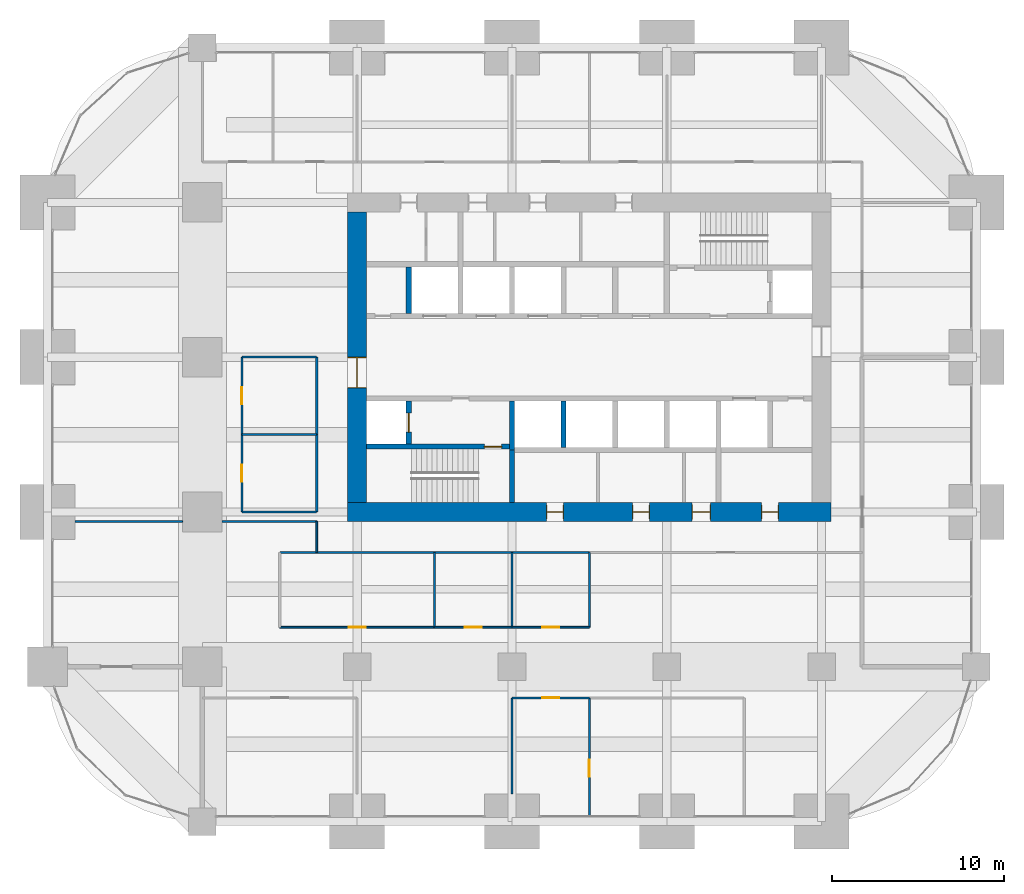
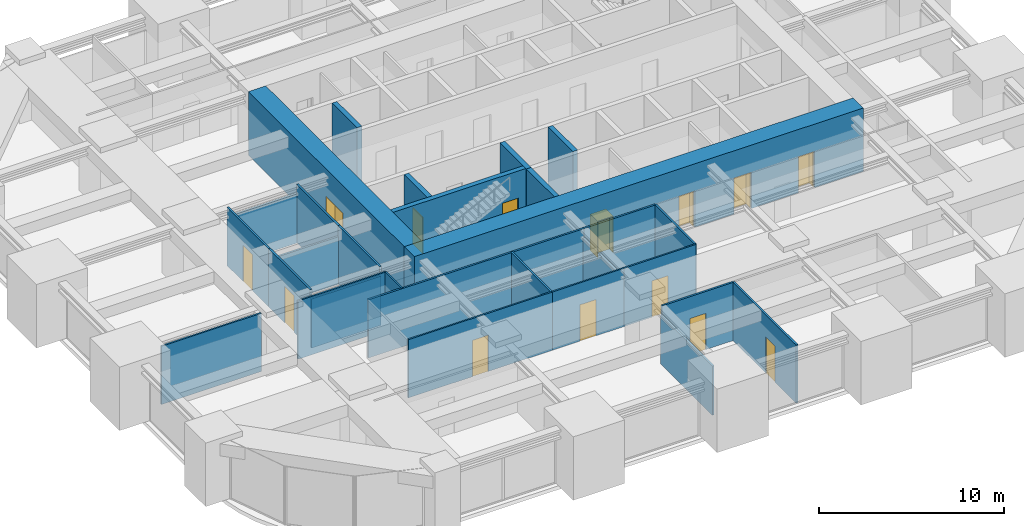
# One storey, part 36 of 39: 30 walls, 14 doors, 14 openings.
"""IFC4 building model written with IfcOpenShell, lengths in metres."""

from ifc_helpers import new_model, si_unit, direction, frame, frame_2d, origin, place, context, subcontext, project, spatial, rectangle, extrude, material, layer, layer_set, type_object, element, fill, save


model = new_model("IFC4")

# Units and contexts
model_context = context("Model", 3, precision=1e-05, world=origin(), true_north=direction((0.0, 1.0)))
body_context = subcontext(model_context, "Body", "Model", "MODEL_VIEW")
ifc_project = project(units=[si_unit("LENGTHUNIT", "METRE"), si_unit("AREAUNIT", "SQUARE_METRE"), si_unit("VOLUMEUNIT", "CUBIC_METRE"), si_unit("PLANEANGLEUNIT", "RADIAN"), si_unit("MASSUNIT", "GRAM", prefix="KILO")], contexts=[model_context])

# Site, building, storey
site_placement = place(None, origin())
site = spatial("IfcSite", under=ifc_project, at=site_placement, CompositionType="ELEMENT")
building_placement = place(site_placement, origin())
building = spatial("IfcBuilding", under=site, at=building_placement, Name="Zorevar Civic Tower", CompositionType="ELEMENT")
storey_placement = place(building_placement, frame((0.0, 0.0, 230.199951171875)))
storey = spatial("IfcBuildingStorey", under=building, at=storey_placement, Name="L56", CompositionType="ELEMENT", Elevation=230.199951171875)

# Wall, openings, doors
ifc_material_1 = material(Name="Concrete C50/60", Category="concrete")
ifc_layer_1 = layer(ifc_material_1, 1.10009765625)
ifc_layer_set_1 = layer_set([ifc_layer_1], Name="Core wall 1100")
wall_type_1 = type_object("IfcWallType", Name="Core wall 1100", PredefinedType="SHEAR", material=ifc_layer_set_1)
wall_1_placement = place(storey_placement, frame((17.449951171875, 18.0, 0.0), z_axis=(0.0, 0.0, 1.0), x_axis=(1.0, 0.0, 0.0)))
wall_1 = element("IfcWall", 1, at=wall_1_placement, inside=storey, type_object=wall_type_1, Name="Core wall S L56", PredefinedType="SHEAR", context=body_context, shape_type="SweptSolid", body=[
    extrude(rectangle(XDim=28.10009765625, YDim=1.10009765625, at=frame_2d((14.050048828125, 0.0))), origin(), (0.0, 0.0, 1.0), 4.199951171875),
])
opening_1_placement = place(wall_1_placement, frame((11.550048828125, 0.0, 0.0)))
opening_1 = element("IfcOpeningElement", 2, at=opening_1_placement, cuts=wall_1, Name="Opening L56.03", PredefinedType="OPENING", context=body_context, shape_type="SweptSolid", body=[
    extrude(rectangle(XDim=1.0, YDim=2.39990234375, at=frame_2d((0.5, 1.199951171875))), frame((0.0, 0.56005859375, 0.0), z_axis=(0.0, -1.0, 0.0), x_axis=(1.0, 0.0, 0.0)), (0.0, 0.0, 1.0), 1.1201171875),
])
opening_2_placement = place(wall_1_placement, frame((16.550048828125, 0.0, 0.0)))
opening_2 = element("IfcOpeningElement", 3, at=opening_2_placement, cuts=wall_1, Name="Opening L56.04", PredefinedType="OPENING", context=body_context, shape_type="SweptSolid", body=[
    extrude(rectangle(XDim=1.0, YDim=2.39990234375, at=frame_2d((0.5, 1.199951171875))), frame((0.0, 0.56005859375, 0.0), z_axis=(0.0, -1.0, 0.0), x_axis=(1.0, 0.0, 0.0)), (0.0, 0.0, 1.0), 1.1201171875),
])
opening_3_placement = place(wall_1_placement, frame((20.0, 0.0, 0.0)))
opening_3 = element("IfcOpeningElement", 4, at=opening_3_placement, cuts=wall_1, Name="Opening L56.05", PredefinedType="OPENING", context=body_context, shape_type="SweptSolid", body=[
    extrude(rectangle(XDim=1.10009765625, YDim=2.39990234375, at=frame_2d((0.550048828125, 1.199951171875))), frame((0.0, 0.56005859375, 0.0), z_axis=(0.0, -1.0, 0.0), x_axis=(1.0, 0.0, 0.0)), (0.0, 0.0, 1.0), 1.1201171875),
])
opening_4_placement = place(wall_1_placement, frame((24.050048828125, 0.0, 0.0)))
opening_4 = element("IfcOpeningElement", 5, at=opening_4_placement, cuts=wall_1, Name="Opening L56.06", PredefinedType="OPENING", context=body_context, shape_type="SweptSolid", body=[
    extrude(rectangle(XDim=1.0, YDim=2.39990234375, at=frame_2d((0.5, 1.199951171875))), frame((0.0, 0.56005859375, 0.0), z_axis=(0.0, -1.0, 0.0), x_axis=(1.0, 0.0, 0.0)), (0.0, 0.0, 1.0), 1.1201171875),
])
ifc_material_2 = material(Name="Timber door set", Category="wood")
door_type_1 = type_object("IfcDoorType", Name="Door D1 1000x2400", OperationType="SINGLE_SWING_LEFT", PredefinedType="DOOR", material=ifc_material_2)
door_1_placement = place(opening_1_placement, origin())
door_1 = element("IfcDoor", 6, at=door_1_placement, inside=storey, type_object=door_type_1, Name="Door L56 02", OperationType="SINGLE_SWING_RIGHT", OverallHeight=2.39990234375, OverallWidth=1.0, PredefinedType="DOOR", context=body_context, shape_type="SweptSolid", body=[
    extrude(rectangle(XDim=1.0, YDim=2.39990234375, at=frame_2d((0.5, 1.199951171875))), frame((0.0, 0.02490234375, 0.0), z_axis=(0.0, -1.0, 0.0), x_axis=(1.0, 0.0, 0.0)), (0.0, 0.0, 1.0), 0.050048828125),
    extrude(rectangle(XDim=0.04, YDim=2.39990234375, at=frame_2d((0.02001953125, 1.199951171875))), frame((0.0, 0.39990234375, 0.0), z_axis=(0.0, -1.0, 0.0), x_axis=(1.0, 0.0, 0.0)), (0.0, 0.0, 1.0), 0.800048828125),
    extrude(rectangle(XDim=0.04, YDim=2.39990234375, at=frame_2d((0.97998046875, 1.199951171875))), frame((0.0, 0.39990234375, 0.0), z_axis=(0.0, -1.0, 0.0), x_axis=(1.0, 0.0, 0.0)), (0.0, 0.0, 1.0), 0.800048828125),
    extrude(rectangle(XDim=1.0, YDim=0.04, at=frame_2d((0.5, 2.3798828125))), frame((0.0, 0.39990234375, 0.0), z_axis=(0.0, -1.0, 0.0), x_axis=(1.0, 0.0, 0.0)), (0.0, 0.0, 1.0), 0.800048828125),
])
fill(opening_1, door_1)
door_2_placement = place(opening_2_placement, origin())
door_2 = element("IfcDoor", 7, at=door_2_placement, inside=storey, type_object=door_type_1, Name="Door L56 03", OperationType="SINGLE_SWING_LEFT", OverallHeight=2.39990234375, OverallWidth=1.0, PredefinedType="DOOR", context=body_context, shape_type="SweptSolid", body=[
    extrude(rectangle(XDim=1.0, YDim=2.39990234375, at=frame_2d((0.5, 1.199951171875))), frame((0.0, 0.02490234375, 0.0), z_axis=(0.0, -1.0, 0.0), x_axis=(1.0, 0.0, 0.0)), (0.0, 0.0, 1.0), 0.050048828125),
    extrude(rectangle(XDim=0.04, YDim=2.39990234375, at=frame_2d((0.02001953125, 1.199951171875))), frame((0.0, 0.39990234375, 0.0), z_axis=(0.0, -1.0, 0.0), x_axis=(1.0, 0.0, 0.0)), (0.0, 0.0, 1.0), 0.800048828125),
    extrude(rectangle(XDim=0.04, YDim=2.39990234375, at=frame_2d((0.97998046875, 1.199951171875))), frame((0.0, 0.39990234375, 0.0), z_axis=(0.0, -1.0, 0.0), x_axis=(1.0, 0.0, 0.0)), (0.0, 0.0, 1.0), 0.800048828125),
    extrude(rectangle(XDim=1.0, YDim=0.04, at=frame_2d((0.5, 2.3798828125))), frame((0.0, 0.39990234375, 0.0), z_axis=(0.0, -1.0, 0.0), x_axis=(1.0, 0.0, 0.0)), (0.0, 0.0, 1.0), 0.800048828125),
])
fill(opening_2, door_2)
door_3_placement = place(opening_4_placement, origin())
door_3 = element("IfcDoor", 8, at=door_3_placement, inside=storey, type_object=door_type_1, Name="Door L56 05", OperationType="SINGLE_SWING_LEFT", OverallHeight=2.39990234375, OverallWidth=1.0, PredefinedType="DOOR", context=body_context, shape_type="SweptSolid", body=[
    extrude(rectangle(XDim=1.0, YDim=2.39990234375, at=frame_2d((0.5, 1.199951171875))), frame((0.0, 0.02490234375, 0.0), z_axis=(0.0, -1.0, 0.0), x_axis=(1.0, 0.0, 0.0)), (0.0, 0.0, 1.0), 0.050048828125),
    extrude(rectangle(XDim=0.04, YDim=2.39990234375, at=frame_2d((0.02001953125, 1.199951171875))), frame((0.0, 0.39990234375, 0.0), z_axis=(0.0, -1.0, 0.0), x_axis=(1.0, 0.0, 0.0)), (0.0, 0.0, 1.0), 0.800048828125),
    extrude(rectangle(XDim=0.04, YDim=2.39990234375, at=frame_2d((0.97998046875, 1.199951171875))), frame((0.0, 0.39990234375, 0.0), z_axis=(0.0, -1.0, 0.0), x_axis=(1.0, 0.0, 0.0)), (0.0, 0.0, 1.0), 0.800048828125),
    extrude(rectangle(XDim=1.0, YDim=0.04, at=frame_2d((0.5, 2.3798828125))), frame((0.0, 0.39990234375, 0.0), z_axis=(0.0, -1.0, 0.0), x_axis=(1.0, 0.0, 0.0)), (0.0, 0.0, 1.0), 0.800048828125),
])
fill(opening_4, door_3)
ifc_material_3 = material(Name="Timber door set", Category="wood")
door_type_2 = type_object("IfcDoorType", Name="Door D5 1100x2400", OperationType="SINGLE_SWING_LEFT", PredefinedType="DOOR", material=ifc_material_3)
door_4_placement = place(opening_3_placement, origin())
door_4 = element("IfcDoor", 9, at=door_4_placement, inside=storey, type_object=door_type_2, Name="Door L56 04", OperationType="SINGLE_SWING_LEFT", OverallHeight=2.39990234375, OverallWidth=1.10009765625, PredefinedType="DOOR", context=body_context, shape_type="SweptSolid", body=[
    extrude(rectangle(XDim=1.10009765625, YDim=2.39990234375, at=frame_2d((0.550048828125, 1.199951171875))), frame((0.0, 0.02490234375, 0.0), z_axis=(0.0, -1.0, 0.0), x_axis=(1.0, 0.0, 0.0)), (0.0, 0.0, 1.0), 0.050048828125),
    extrude(rectangle(XDim=0.04, YDim=2.39990234375, at=frame_2d((0.02001953125, 1.199951171875))), frame((0.0, 0.43994140625, 0.0), z_axis=(0.0, -1.0, 0.0), x_axis=(1.0, 0.0, 0.0)), (0.0, 0.0, 1.0), 0.880126953125),
    extrude(rectangle(XDim=0.04, YDim=2.39990234375, at=frame_2d((1.080078125, 1.199951171875))), frame((0.0, 0.43994140625, 0.0), z_axis=(0.0, -1.0, 0.0), x_axis=(1.0, 0.0, 0.0)), (0.0, 0.0, 1.0), 0.880126953125),
    extrude(rectangle(XDim=1.10009765625, YDim=0.04, at=frame_2d((0.550048828125, 2.3798828125))), frame((0.0, 0.43994140625, 0.0), z_axis=(0.0, -1.0, 0.0), x_axis=(1.0, 0.0, 0.0)), (0.0, 0.0, 1.0), 0.880126953125),
])
fill(opening_3, door_4)

# Wall, opening, door
wall_2_placement = place(storey_placement, frame((18.0, 35.449951171875, 0.0), z_axis=(0.0, 0.0, 1.0), x_axis=(0.0, -1.0, 0.0)))
wall_2 = element("IfcWall", 10, at=wall_2_placement, inside=storey, type_object=wall_type_1, Name="Core wall W L56", PredefinedType="SHEAR", context=body_context, shape_type="SweptSolid", body=[
    extrude(rectangle(XDim=16.89990234375, YDim=1.10009765625, at=frame_2d((8.449951171875, 0.0))), origin(), (0.0, 0.0, 1.0), 4.199951171875),
])
opening_5_placement = place(wall_2_placement, frame((8.449951171875, 0.0, 0.0)))
opening_5 = element("IfcOpeningElement", 11, at=opening_5_placement, cuts=wall_2, Name="Opening L56.01", PredefinedType="OPENING", context=body_context, shape_type="SweptSolid", body=[
    extrude(rectangle(XDim=1.800048828125, YDim=2.39990234375, at=frame_2d((0.89990234375, 1.199951171875))), frame((0.0, 0.56005859375, 0.0), z_axis=(0.0, -1.0, 0.0), x_axis=(1.0, 0.0, 0.0)), (0.0, 0.0, 1.0), 1.1201171875),
])
ifc_material_4 = material(Name="Steel door set", Category="steel")
door_type_3 = type_object("IfcDoorType", Name="Fire door FD2 1800x2400", OperationType="DOUBLE_DOOR_DOUBLE_SWING", PredefinedType="DOOR", material=ifc_material_4)
door_5_placement = place(opening_5_placement, origin())
door_5 = element("IfcDoor", 12, at=door_5_placement, inside=storey, type_object=door_type_3, Name="Door L56 00", OperationType="DOUBLE_DOOR_DOUBLE_SWING", OverallHeight=2.39990234375, OverallWidth=1.800048828125, PredefinedType="DOOR", context=body_context, shape_type="SweptSolid", body=[
    extrude(rectangle(XDim=1.800048828125, YDim=2.39990234375, at=frame_2d((0.89990234375, 1.199951171875))), frame((0.0, 0.030029296875, 0.0), z_axis=(0.0, -1.0, 0.0), x_axis=(1.0, 0.0, 0.0)), (0.0, 0.0, 1.0), 0.06005859375),
    extrude(rectangle(XDim=0.04, YDim=2.39990234375, at=frame_2d((0.02001953125, 1.199951171875))), frame((0.0, 0.5498046875, 0.0), z_axis=(0.0, -1.0, 0.0), x_axis=(1.0, 0.0, 0.0)), (0.0, 0.0, 1.0), 1.099609375),
    extrude(rectangle(XDim=0.04, YDim=2.39990234375, at=frame_2d((1.780029296875, 1.199951171875))), frame((0.0, 0.5498046875, 0.0), z_axis=(0.0, -1.0, 0.0), x_axis=(1.0, 0.0, 0.0)), (0.0, 0.0, 1.0), 1.099609375),
    extrude(rectangle(XDim=1.800048828125, YDim=0.04, at=frame_2d((0.89990234375, 2.3798828125))), frame((0.0, 0.5498046875, 0.0), z_axis=(0.0, -1.0, 0.0), x_axis=(1.0, 0.0, 0.0)), (0.0, 0.0, 1.0), 1.099609375),
])
fill(opening_5, door_5)

ifc_material_5 = material(Name="Laminated glass in black aluminium frame", Category="aluminium")
ifc_layer_2 = layer(ifc_material_5, 0.10009765625)
ifc_layer_set_2 = layer_set([ifc_layer_2], Name="Glazed partition 100")
wall_type_2 = type_object("IfcWallType", Name="Glazed partition 100", PredefinedType="PARTITIONING", material=ifc_layer_set_2)
wall_3_placement = place(storey_placement, frame((13.5, 11.300048828125, 0.0), z_axis=(0.0, 0.0, 1.0), x_axis=(1.0, 0.0, 0.0)))
wall_3 = element("IfcWall", 13, at=wall_3_placement, inside=storey, type_object=wall_type_2, Name="Glazed partition 100 L56", PredefinedType="PARTITIONING", context=body_context, shape_type="SweptSolid", body=[
    extrude(rectangle(XDim=9.0, YDim=0.10009765625, at=frame_2d((4.5, 0.0))), origin(), (0.0, 0.0, 1.0), 3.85009765625),
])
opening_6_placement = place(wall_3_placement, frame((4.0, 0.0, 0.0)))
opening_6 = element("IfcOpeningElement", 14, at=opening_6_placement, cuts=wall_3, Name="Opening L56.20", PredefinedType="OPENING", context=body_context, shape_type="SweptSolid", body=[
    extrude(rectangle(XDim=1.0, YDim=2.39990234375, at=frame_2d((0.5, 1.199951171875))), frame((0.0, 0.06005859375, 0.0), z_axis=(0.0, -1.0, 0.0), x_axis=(1.0, 0.0, 0.0)), (0.0, 0.0, 1.0), 0.1201171875),
])
ifc_material_6 = material(Name="Timber door set", Category="wood")
door_type_4 = type_object("IfcDoorType", Name="Glazed door GD1 1000x2400", OperationType="SINGLE_SWING_LEFT", PredefinedType="DOOR", material=ifc_material_6)
door_6_placement = place(opening_6_placement, origin())
door_6 = element("IfcDoor", 15, at=door_6_placement, inside=storey, type_object=door_type_4, Name="Door L56 D1", OperationType="SINGLE_SWING_LEFT", OverallHeight=2.39990234375, OverallWidth=1.0, PredefinedType="DOOR", context=body_context, shape_type="SweptSolid", body=[
    extrude(rectangle(XDim=1.0, YDim=2.39990234375, at=frame_2d((0.5, 1.199951171875))), frame((0.0, 0.02001953125, 0.0), z_axis=(0.0, -1.0, 0.0), x_axis=(1.0, 0.0, 0.0)), (0.0, 0.0, 1.0), 0.0400390625),
])
fill(opening_6, door_6)

wall_4_placement = place(storey_placement, frame((22.5, 11.300048828125, 0.0), z_axis=(0.0, 0.0, 1.0), x_axis=(1.0, 0.0, 0.0)))
wall_4 = element("IfcWall", 16, at=wall_4_placement, inside=storey, type_object=wall_type_2, Name="Glazed partition 100 L56", PredefinedType="PARTITIONING", context=body_context, shape_type="SweptSolid", body=[
    extrude(rectangle(XDim=4.5, YDim=0.10009765625, at=frame_2d((2.25, 0.0))), origin(), (0.0, 0.0, 1.0), 3.85009765625),
])
opening_7_placement = place(wall_4_placement, frame((1.75, 0.0, 0.0)))
opening_7 = element("IfcOpeningElement", 17, at=opening_7_placement, cuts=wall_4, Name="Opening L56.21", PredefinedType="OPENING", context=body_context, shape_type="SweptSolid", body=[
    extrude(rectangle(XDim=1.0, YDim=2.39990234375, at=frame_2d((0.5, 1.199951171875))), frame((0.0, 0.06005859375, 0.0), z_axis=(0.0, -1.0, 0.0), x_axis=(1.0, 0.0, 0.0)), (0.0, 0.0, 1.0), 0.1201171875),
])
door_7_placement = place(opening_7_placement, origin())
door_7 = element("IfcDoor", 18, at=door_7_placement, inside=storey, type_object=door_type_4, Name="Door L56 D1", OperationType="SINGLE_SWING_RIGHT", OverallHeight=2.39990234375, OverallWidth=1.0, PredefinedType="DOOR", context=body_context, shape_type="SweptSolid", body=[
    extrude(rectangle(XDim=1.0, YDim=2.39990234375, at=frame_2d((0.5, 1.199951171875))), frame((0.0, 0.02001953125, 0.0), z_axis=(0.0, -1.0, 0.0), x_axis=(1.0, 0.0, 0.0)), (0.0, 0.0, 1.0), 0.0400390625),
])
fill(opening_7, door_7)

wall_5_placement = place(storey_placement, frame((27.0, 11.300048828125, 0.0), z_axis=(0.0, 0.0, 1.0), x_axis=(1.0, 0.0, 0.0)))
wall_5 = element("IfcWall", 19, at=wall_5_placement, inside=storey, type_object=wall_type_2, Name="Glazed partition 100 L56", PredefinedType="PARTITIONING", context=body_context, shape_type="SweptSolid", body=[
    extrude(rectangle(XDim=4.5, YDim=0.10009765625, at=frame_2d((2.25, 0.0))), origin(), (0.0, 0.0, 1.0), 3.85009765625),
])
opening_8_placement = place(wall_5_placement, frame((1.75, 0.0, 0.0)))
opening_8 = element("IfcOpeningElement", 20, at=opening_8_placement, cuts=wall_5, Name="Opening L56.22", PredefinedType="OPENING", context=body_context, shape_type="SweptSolid", body=[
    extrude(rectangle(XDim=1.0, YDim=2.39990234375, at=frame_2d((0.5, 1.199951171875))), frame((0.0, 0.06005859375, 0.0), z_axis=(0.0, -1.0, 0.0), x_axis=(1.0, 0.0, 0.0)), (0.0, 0.0, 1.0), 0.1201171875),
])
door_8_placement = place(opening_8_placement, origin())
door_8 = element("IfcDoor", 21, at=door_8_placement, inside=storey, type_object=door_type_4, Name="Door L56 D1", OperationType="SINGLE_SWING_RIGHT", OverallHeight=2.39990234375, OverallWidth=1.0, PredefinedType="DOOR", context=body_context, shape_type="SweptSolid", body=[
    extrude(rectangle(XDim=1.0, YDim=2.39990234375, at=frame_2d((0.5, 1.199951171875))), frame((0.0, 0.02001953125, 0.0), z_axis=(0.0, -1.0, 0.0), x_axis=(1.0, 0.0, 0.0)), (0.0, 0.0, 1.0), 0.0400390625),
])
fill(opening_8, door_8)

# Walls
wall_6_placement = place(storey_placement, frame((1.60009765625, 17.449951171875, 0.0), z_axis=(0.0, 0.0, 1.0), x_axis=(1.0, 0.0, 0.0)))
element("IfcWall", 22, at=wall_6_placement, inside=storey, type_object=wall_type_2, Name="Glazed partition 100 L56", PredefinedType="PARTITIONING", context=body_context, shape_type="SweptSolid", body=[
    extrude(rectangle(XDim=6.25, YDim=0.10009765625, at=frame_2d((3.125, 0.0))), origin(), (0.0, 0.0, 1.0), 3.85009765625),
])
wall_7_placement = place(storey_placement, frame((10.14990234375, 17.449951171875, 0.0), z_axis=(0.0, 0.0, 1.0), x_axis=(1.0, 0.0, 0.0)))
element("IfcWall", 23, at=wall_7_placement, inside=storey, type_object=wall_type_2, Name="Glazed partition 100 L56", PredefinedType="PARTITIONING", context=body_context, shape_type="SweptSolid", body=[
    extrude(rectangle(XDim=5.5, YDim=0.10009765625, at=frame_2d((2.75, 0.0))), origin(), (0.0, 0.0, 1.0), 3.85009765625),
])
wall_8_placement = place(storey_placement, frame((15.64990234375, 15.64990234375, 0.0), z_axis=(0.0, 0.0, 1.0), x_axis=(0.0, 1.0, 0.0)))
element("IfcWall", 24, at=wall_8_placement, inside=storey, type_object=wall_type_2, Name="Glazed partition 100 L56", PredefinedType="PARTITIONING", context=body_context, shape_type="SweptSolid", body=[
    extrude(rectangle(XDim=1.800048828125, YDim=0.10009765625, at=frame_2d((0.89990234375, 0.0))), origin(), (0.0, 0.0, 1.0), 3.85009765625),
])

# Wall, opening, door
ifc_material_7 = material(Name="Concrete C40/50", Category="concrete")
ifc_layer_3 = layer(ifc_material_7, 0.300048828125)
ifc_layer_set_3 = layer_set([ifc_layer_3], Name="Inner core wall 300")
wall_type_3 = type_object("IfcWallType", Name="Inner core wall 300", PredefinedType="SHEAR", material=ifc_layer_set_3)
wall_9_placement = place(storey_placement, frame((18.550048828125, 21.800048828125, 0.0), z_axis=(0.0, 0.0, 1.0), x_axis=(1.0, 0.0, 0.0)))
wall_9 = element("IfcWall", 25, at=wall_9_placement, inside=storey, type_object=wall_type_3, Name="Inner core wall S00 L56", PredefinedType="SHEAR", context=body_context, shape_type="SweptSolid", body=[
    extrude(rectangle(XDim=8.300048828125, YDim=0.300048828125, at=frame_2d((4.14990234375, 0.0))), origin(), (0.0, 0.0, 1.0), 4.199951171875),
])
opening_9_placement = place(wall_9_placement, frame((6.85009765625, 0.0, 0.0)))
opening_9 = element("IfcOpeningElement", 26, at=opening_9_placement, cuts=wall_9, Name="Opening L56.11", PredefinedType="OPENING", context=body_context, shape_type="SweptSolid", body=[
    extrude(rectangle(XDim=1.0, YDim=2.39990234375, at=frame_2d((0.5, 1.199951171875))), frame((0.0, 0.159912109375, 0.0), z_axis=(0.0, -1.0, 0.0), x_axis=(1.0, 0.0, 0.0)), (0.0, 0.0, 1.0), 0.320068359375),
])
ifc_material_8 = material(Name="Steel door set", Category="steel")
door_type_5 = type_object("IfcDoorType", Name="Fire door FD1 1000x2400", OperationType="SINGLE_SWING_LEFT", PredefinedType="DOOR", material=ifc_material_8)
door_9_placement = place(opening_9_placement, origin())
door_9 = element("IfcDoor", 27, at=door_9_placement, inside=storey, type_object=door_type_5, Name="Door L56 10", OperationType="SINGLE_SWING_RIGHT", OverallHeight=2.39990234375, OverallWidth=1.0, PredefinedType="DOOR", context=body_context, shape_type="SweptSolid", body=[
    extrude(rectangle(XDim=1.0, YDim=2.39990234375, at=frame_2d((0.5, 1.199951171875))), frame((0.0, 0.030029296875, 0.0), z_axis=(0.0, -1.0, 0.0), x_axis=(1.0, 0.0, 0.0)), (0.0, 0.0, 1.0), 0.06005859375),
])
fill(opening_9, door_9)

# Wall
wall_10_placement = place(storey_placement, frame((27.0, 18.550048828125, 0.0), z_axis=(0.0, 0.0, 1.0), x_axis=(0.0, 1.0, 0.0)))
element("IfcWall", 28, at=wall_10_placement, inside=storey, type_object=wall_type_3, Name="Inner core wall S01 L56", PredefinedType="SHEAR", context=body_context, shape_type="SweptSolid", body=[
    extrude(rectangle(XDim=3.050048828125, YDim=0.300048828125, at=frame_2d((1.52490234375, 0.0))), origin(), (0.0, 0.0, 1.0), 4.199951171875),
])

# Wall, opening, door
wall_11_placement = place(storey_placement, frame((21.0, 21.949951171875, 0.0), z_axis=(0.0, 0.0, 1.0), x_axis=(0.0, 1.0, 0.0)))
wall_11 = element("IfcWall", 29, at=wall_11_placement, inside=storey, type_object=wall_type_3, Name="Inner core wall S02 L56", PredefinedType="SHEAR", context=body_context, shape_type="SweptSolid", body=[
    extrude(rectangle(XDim=2.5, YDim=0.300048828125, at=frame_2d((1.25, 0.0))), origin(), (0.0, 0.0, 1.0), 4.199951171875),
])
opening_10_placement = place(wall_11_placement, frame((0.699951171875, 0.0, 0.0)))
opening_10 = element("IfcOpeningElement", 30, at=opening_10_placement, cuts=wall_11, Name="Opening L56.FL1", PredefinedType="OPENING", context=body_context, shape_type="SweptSolid", body=[
    extrude(rectangle(XDim=1.10009765625, YDim=2.39990234375, at=frame_2d((0.550048828125, 1.199951171875))), frame((0.0, 0.159912109375, 0.0), z_axis=(0.0, -1.0, 0.0), x_axis=(1.0, 0.0, 0.0)), (0.0, 0.0, 1.0), 0.320068359375),
])
ifc_material_9 = material(Name="Steel door set", Category="steel")
door_type_6 = type_object("IfcDoorType", Name="Firefighting lift landing door LD3 1100x2400", OperationType="DOUBLE_DOOR_SLIDING", PredefinedType="DOOR", material=ifc_material_9)
door_10_placement = place(opening_10_placement, origin())
door_10 = element("IfcDoor", 31, at=door_10_placement, inside=storey, type_object=door_type_6, Name="Landing door FL1 L56", OperationType="DOUBLE_DOOR_SLIDING", OverallHeight=2.39990234375, OverallWidth=1.10009765625, PredefinedType="DOOR", context=body_context, shape_type="SweptSolid", body=[
    extrude(rectangle(XDim=1.10009765625, YDim=2.39990234375, at=frame_2d((0.550048828125, 1.199951171875))), frame((0.0, 0.030029296875, 0.0), z_axis=(0.0, -1.0, 0.0), x_axis=(1.0, 0.0, 0.0)), (0.0, 0.0, 1.0), 0.06005859375),
])
fill(opening_10, door_10)

# Walls
for number, where, z_axis, x_axis, name in (
    (32, (30.0, 21.75, 0.0), (0.0, 0.0, 1.0), (0.0, 1.0, 0.0), "Inner core wall S05 L56"),
    (33, (21.0, 29.550048828125, 0.0), (0.0, 0.0, 1.0), (0.0, 1.0, 0.0), "Inner core wall N09 L56"),
):
    element("IfcWall", number, at=place(storey_placement, frame(where, z_axis=z_axis, x_axis=x_axis)), inside=storey, type_object=wall_type_3, Name=name, PredefinedType="SHEAR", context=body_context, shape_type="SweptSolid", body=[
        extrude(rectangle(XDim=2.699951171875, YDim=0.300048828125, at=frame_2d((1.35009765625, 0.0))), origin(), (0.0, 0.0, 1.0), 4.199951171875),
    ])
wall_12_placement = place(storey_placement, frame((27.0, 21.60009765625, 0.0), z_axis=(0.0, 0.0, 1.0), x_axis=(0.0, 1.0, 0.0)))
element("IfcWall", 34, at=wall_12_placement, inside=storey, type_object=wall_type_3, Name="Inner core wall S10 L56", PredefinedType="SHEAR", context=body_context, shape_type="SweptSolid", body=[
    extrude(rectangle(XDim=2.849853515625, YDim=0.300048828125, at=frame_2d((1.4248046875, 0.0))), origin(), (0.0, 0.0, 1.0), 4.199951171875),
])

# Wall, opening, door
ifc_material_10 = material(Name="Gypsum board on steel studs", Category="steel")
ifc_layer_4 = layer(ifc_material_10, 0.1201171875)
ifc_layer_set_4 = layer_set([ifc_layer_4], Name="Partition 120")
wall_type_4 = type_object("IfcWallType", Name="Partition 120", PredefinedType="PARTITIONING", material=ifc_layer_set_4)
wall_13_placement = place(storey_placement, frame((27.0, 7.199951171875, 0.0), z_axis=(0.0, 0.0, 1.0), x_axis=(1.0, 0.0, 0.0)))
wall_13 = element("IfcWall", 35, at=wall_13_placement, inside=storey, type_object=wall_type_4, Name="Partition 120 L56", PredefinedType="PARTITIONING", context=body_context, shape_type="SweptSolid", body=[
    extrude(rectangle(XDim=4.5, YDim=0.1201171875, at=frame_2d((2.25, 0.0))), origin(), (0.0, 0.0, 1.0), 3.85009765625),
])
opening_11_placement = place(wall_13_placement, frame((1.75, 0.0, 0.0)))
opening_11 = element("IfcOpeningElement", 36, at=opening_11_placement, cuts=wall_13, Name="Opening L56.18", PredefinedType="OPENING", context=body_context, shape_type="SweptSolid", body=[
    extrude(rectangle(XDim=1.0, YDim=2.39990234375, at=frame_2d((0.5, 1.199951171875))), frame((0.0, 0.070068359375, 0.0), z_axis=(0.0, -1.0, 0.0), x_axis=(1.0, 0.0, 0.0)), (0.0, 0.0, 1.0), 0.14013671875),
])
door_11_placement = place(opening_11_placement, origin())
door_11 = element("IfcDoor", 37, at=door_11_placement, inside=storey, type_object=door_type_1, Name="Door L56 D1", OperationType="SINGLE_SWING_RIGHT", OverallHeight=2.39990234375, OverallWidth=1.0, PredefinedType="DOOR", context=body_context, shape_type="SweptSolid", body=[
    extrude(rectangle(XDim=1.0, YDim=2.39990234375, at=frame_2d((0.5, 1.199951171875))), frame((0.0, 0.02490234375, 0.0), z_axis=(0.0, -1.0, 0.0), x_axis=(1.0, 0.0, 0.0)), (0.0, 0.0, 1.0), 0.050048828125),
])
fill(opening_11, door_11)

# Walls
wall_14_placement = place(storey_placement, frame((13.5, 15.64990234375, 0.0), z_axis=(0.0, 0.0, 1.0), x_axis=(1.0, 0.0, 0.0)))
element("IfcWall", 38, at=wall_14_placement, inside=storey, type_object=wall_type_4, Name="Partition 120 L56", PredefinedType="PARTITIONING", context=body_context, shape_type="SweptSolid", body=[
    extrude(rectangle(XDim=9.0, YDim=0.1201171875, at=frame_2d((4.5, 0.0))), origin(), (0.0, 0.0, 1.0), 3.85009765625),
])
for number, where, z_axis, x_axis, name in (
    (39, (22.5, 15.64990234375, 0.0), (0.0, 0.0, 1.0), (1.0, 0.0, 0.0), "Partition 120 L56"),
    (40, (27.0, 15.64990234375, 0.0), (0.0, 0.0, 1.0), (1.0, 0.0, 0.0), "Partition 120 L56"),
):
    element("IfcWall", number, at=place(storey_placement, frame(where, z_axis=z_axis, x_axis=x_axis)), inside=storey, type_object=wall_type_4, Name=name, PredefinedType="PARTITIONING", context=body_context, shape_type="SweptSolid", body=[
        extrude(rectangle(XDim=4.5, YDim=0.1201171875, at=frame_2d((2.25, 0.0))), origin(), (0.0, 0.0, 1.0), 3.85009765625),
    ])
wall_15_placement = place(storey_placement, frame((11.300048828125, 18.0, 0.0), z_axis=(0.0, 0.0, 1.0), x_axis=(1.0, 0.0, 0.0)))
element("IfcWall", 41, at=wall_15_placement, inside=storey, type_object=wall_type_4, Name="Partition 120 L56", PredefinedType="PARTITIONING", context=body_context, shape_type="SweptSolid", body=[
    extrude(rectangle(XDim=4.349853515625, YDim=0.1201171875, at=frame_2d((2.1748046875, 0.0))), origin(), (0.0, 0.0, 1.0), 3.25),
])
wall_16_placement = place(storey_placement, frame((11.300048828125, 22.5, 0.0), z_axis=(0.0, 0.0, 1.0), x_axis=(1.0, 0.0, 0.0)))
element("IfcWall", 42, at=wall_16_placement, inside=storey, type_object=wall_type_4, Name="Partition 120 L56", PredefinedType="PARTITIONING", context=body_context, shape_type="SweptSolid", body=[
    extrude(rectangle(XDim=4.349853515625, YDim=0.1201171875, at=frame_2d((2.1748046875, 0.0))), origin(), (0.0, 0.0, 1.0), 3.150146484375),
])
wall_17_placement = place(storey_placement, frame((11.300048828125, 27.0, 0.0), z_axis=(0.0, 0.0, 1.0), x_axis=(1.0, 0.0, 0.0)))
element("IfcWall", 43, at=wall_17_placement, inside=storey, type_object=wall_type_4, Name="Partition 120 L56", PredefinedType="PARTITIONING", context=body_context, shape_type="SweptSolid", body=[
    extrude(rectangle(XDim=4.349853515625, YDim=0.1201171875, at=frame_2d((2.1748046875, 0.0))), origin(), (0.0, 0.0, 1.0), 3.25),
])

# Wall, opening, door
wall_18_placement = place(storey_placement, frame((11.300048828125, 18.0, 0.0), z_axis=(0.0, 0.0, 1.0), x_axis=(0.0, 1.0, 0.0)))
wall_18 = element("IfcWall", 44, at=wall_18_placement, inside=storey, type_object=wall_type_4, Name="Partition 120 L56", PredefinedType="PARTITIONING", context=body_context, shape_type="SweptSolid", body=[
    extrude(rectangle(XDim=4.5, YDim=0.1201171875, at=frame_2d((2.25, 0.0))), origin(), (0.0, 0.0, 1.0), 3.85009765625),
])
opening_12_placement = place(wall_18_placement, frame((1.75, 0.0, 0.0)))
opening_12 = element("IfcOpeningElement", 45, at=opening_12_placement, cuts=wall_18, Name="Opening L56.31", PredefinedType="OPENING", context=body_context, shape_type="SweptSolid", body=[
    extrude(rectangle(XDim=1.0, YDim=2.39990234375, at=frame_2d((0.5, 1.199951171875))), frame((0.0, 0.070068359375, 0.0), z_axis=(0.0, -1.0, 0.0), x_axis=(1.0, 0.0, 0.0)), (0.0, 0.0, 1.0), 0.14013671875),
])
door_12_placement = place(opening_12_placement, origin())
door_12 = element("IfcDoor", 46, at=door_12_placement, inside=storey, type_object=door_type_1, Name="Door L56 D1", OperationType="SINGLE_SWING_RIGHT", OverallHeight=2.39990234375, OverallWidth=1.0, PredefinedType="DOOR", context=body_context, shape_type="SweptSolid", body=[
    extrude(rectangle(XDim=1.0, YDim=2.39990234375, at=frame_2d((0.5, 1.199951171875))), frame((0.0, 0.02490234375, 0.0), z_axis=(0.0, -1.0, 0.0), x_axis=(1.0, 0.0, 0.0)), (0.0, 0.0, 1.0), 0.050048828125),
])
fill(opening_12, door_12)

wall_19_placement = place(storey_placement, frame((11.300048828125, 22.5, 0.0), z_axis=(0.0, 0.0, 1.0), x_axis=(0.0, 1.0, 0.0)))
wall_19 = element("IfcWall", 47, at=wall_19_placement, inside=storey, type_object=wall_type_4, Name="Partition 120 L56", PredefinedType="PARTITIONING", context=body_context, shape_type="SweptSolid", body=[
    extrude(rectangle(XDim=4.5, YDim=0.1201171875, at=frame_2d((2.25, 0.0))), origin(), (0.0, 0.0, 1.0), 3.85009765625),
])
opening_13_placement = place(wall_19_placement, frame((1.75, 0.0, 0.0)))
opening_13 = element("IfcOpeningElement", 48, at=opening_13_placement, cuts=wall_19, Name="Opening L56.32", PredefinedType="OPENING", context=body_context, shape_type="SweptSolid", body=[
    extrude(rectangle(XDim=1.0, YDim=2.39990234375, at=frame_2d((0.5, 1.199951171875))), frame((0.0, 0.070068359375, 0.0), z_axis=(0.0, -1.0, 0.0), x_axis=(1.0, 0.0, 0.0)), (0.0, 0.0, 1.0), 0.14013671875),
])
door_13_placement = place(opening_13_placement, origin())
door_13 = element("IfcDoor", 49, at=door_13_placement, inside=storey, type_object=door_type_1, Name="Door L56 D1", OperationType="SINGLE_SWING_RIGHT", OverallHeight=2.39990234375, OverallWidth=1.0, PredefinedType="DOOR", context=body_context, shape_type="SweptSolid", body=[
    extrude(rectangle(XDim=1.0, YDim=2.39990234375, at=frame_2d((0.5, 1.199951171875))), frame((0.0, 0.02490234375, 0.0), z_axis=(0.0, -1.0, 0.0), x_axis=(1.0, 0.0, 0.0)), (0.0, 0.0, 1.0), 0.050048828125),
])
fill(opening_13, door_13)

# Walls
for number, where, z_axis, x_axis, name in (
    (50, (15.64990234375, 18.0, 0.0), (0.0, 0.0, 1.0), (0.0, 1.0, 0.0), "Partition 120 L56"),
    (51, (15.64990234375, 22.5, 0.0), (0.0, 0.0, 1.0), (0.0, 1.0, 0.0), "Partition 120 L56"),
):
    element("IfcWall", number, at=place(storey_placement, frame(where, z_axis=z_axis, x_axis=x_axis)), inside=storey, type_object=wall_type_4, Name=name, PredefinedType="PARTITIONING", context=body_context, shape_type="SweptSolid", body=[
        extrude(rectangle(XDim=4.5, YDim=0.1201171875, at=frame_2d((2.25, 0.0))), origin(), (0.0, 0.0, 1.0), 3.85009765625),
    ])
wall_20_placement = place(storey_placement, frame((22.5, 11.300048828125, 0.0), z_axis=(0.0, 0.0, 1.0), x_axis=(0.0, 1.0, 0.0)))
element("IfcWall", 52, at=wall_20_placement, inside=storey, type_object=wall_type_4, Name="Partition 120 L56", PredefinedType="PARTITIONING", context=body_context, shape_type="SweptSolid", body=[
    extrude(rectangle(XDim=4.349853515625, YDim=0.1201171875, at=frame_2d((2.1748046875, 0.0))), origin(), (0.0, 0.0, 1.0), 3.85009765625),
])
wall_21_placement = place(storey_placement, frame((27.0, 1.60009765625, 0.0), z_axis=(0.0, 0.0, 1.0), x_axis=(0.0, 1.0, 0.0)))
element("IfcWall", 53, at=wall_21_placement, inside=storey, type_object=wall_type_4, Name="Partition 120 L56", PredefinedType="PARTITIONING", context=body_context, shape_type="SweptSolid", body=[
    extrude(rectangle(XDim=5.599853515625, YDim=0.1201171875, at=frame_2d((2.7998046875, 0.0))), origin(), (0.0, 0.0, 1.0), 3.25),
])
wall_22_placement = place(storey_placement, frame((27.0, 11.300048828125, 0.0), z_axis=(0.0, 0.0, 1.0), x_axis=(0.0, 1.0, 0.0)))
element("IfcWall", 54, at=wall_22_placement, inside=storey, type_object=wall_type_4, Name="Partition 120 L56", PredefinedType="PARTITIONING", context=body_context, shape_type="SweptSolid", body=[
    extrude(rectangle(XDim=4.349853515625, YDim=0.1201171875, at=frame_2d((2.1748046875, 0.0))), origin(), (0.0, 0.0, 1.0), 3.25),
])

# Wall, opening, door
wall_23_placement = place(storey_placement, frame((31.5, 0.31005859375, 0.0), z_axis=(0.0, 0.0, 1.0), x_axis=(0.0, 1.0, 0.0)))
wall_23 = element("IfcWall", 55, at=wall_23_placement, inside=storey, type_object=wall_type_4, Name="Partition 120 L56", PredefinedType="PARTITIONING", context=body_context, shape_type="SweptSolid", body=[
    extrude(rectangle(XDim=6.889892578125, YDim=0.1201171875, at=frame_2d((3.44482421875, 0.0))), origin(), (0.0, 0.0, 1.0), 3.85009765625),
])
opening_14_placement = place(wall_23_placement, frame((2.2900390625, 0.0, 0.0)))
opening_14 = element("IfcOpeningElement", 56, at=opening_14_placement, cuts=wall_23, Name="Opening L56.33", PredefinedType="OPENING", context=body_context, shape_type="SweptSolid", body=[
    extrude(rectangle(XDim=1.0, YDim=2.39990234375, at=frame_2d((0.5, 1.199951171875))), frame((0.0, 0.070068359375, 0.0), z_axis=(0.0, -1.0, 0.0), x_axis=(1.0, 0.0, 0.0)), (0.0, 0.0, 1.0), 0.14013671875),
])
door_14_placement = place(opening_14_placement, origin())
door_14 = element("IfcDoor", 57, at=door_14_placement, inside=storey, type_object=door_type_1, Name="Door L56 D1", OperationType="SINGLE_SWING_LEFT", OverallHeight=2.39990234375, OverallWidth=1.0, PredefinedType="DOOR", context=body_context, shape_type="SweptSolid", body=[
    extrude(rectangle(XDim=1.0, YDim=2.39990234375, at=frame_2d((0.5, 1.199951171875))), frame((0.0, 0.02490234375, 0.0), z_axis=(0.0, -1.0, 0.0), x_axis=(1.0, 0.0, 0.0)), (0.0, 0.0, 1.0), 0.050048828125),
])
fill(opening_14, door_14)

# Wall
wall_24_placement = place(storey_placement, frame((31.5, 11.300048828125, 0.0), z_axis=(0.0, 0.0, 1.0), x_axis=(0.0, 1.0, 0.0)))
element("IfcWall", 58, at=wall_24_placement, inside=storey, type_object=wall_type_4, Name="Partition 120 L56", PredefinedType="PARTITIONING", context=body_context, shape_type="SweptSolid", body=[
    extrude(rectangle(XDim=4.349853515625, YDim=0.1201171875, at=frame_2d((2.1748046875, 0.0))), origin(), (0.0, 0.0, 1.0), 3.85009765625),
])

save(model, "model.ifc")
